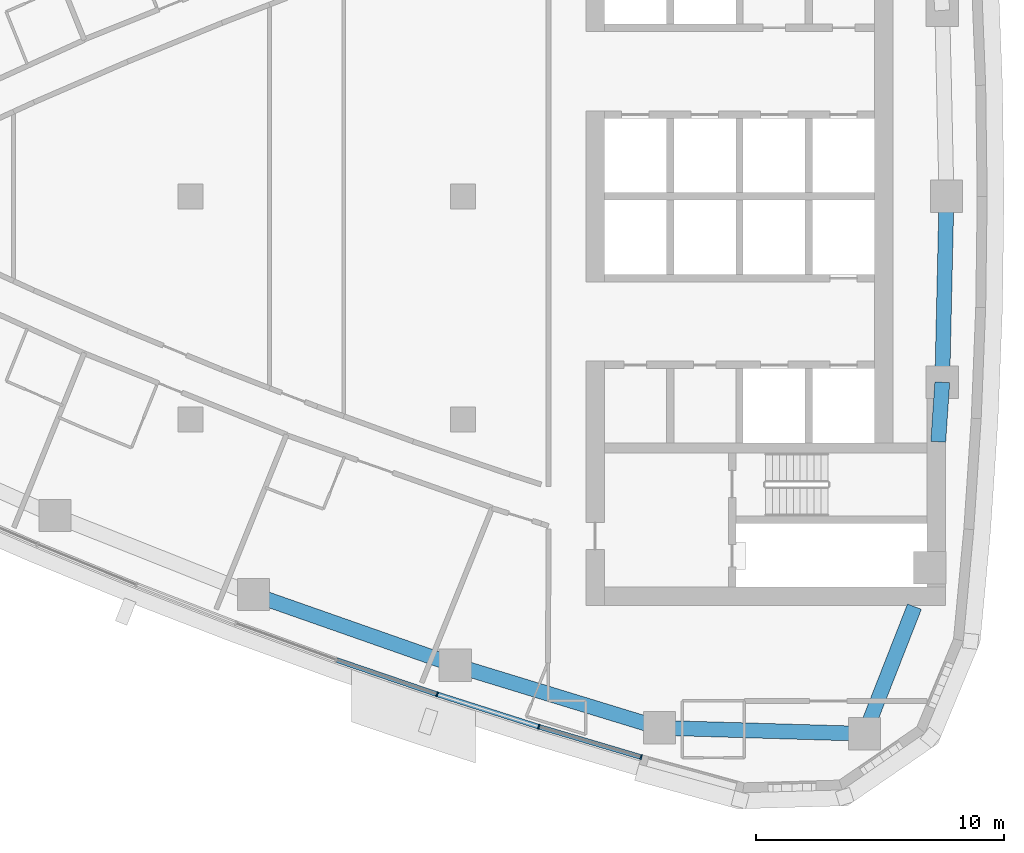
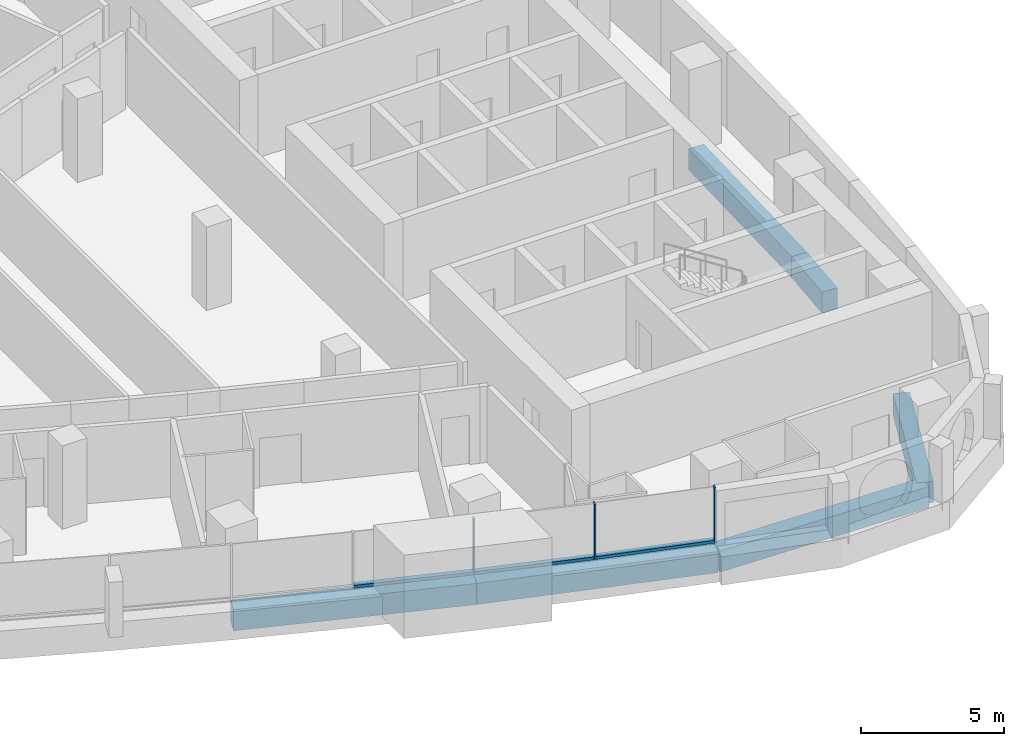
# One storey, part 4 of 17: 6 beams, 6 members, 2 elements without a shape of their own.
"""IFC4 building model written with IfcOpenShell, lengths in metres."""

from ifc_helpers import new_model, si_unit, direction, frame, origin, origin_2d, place, context, subcontext, project, spatial, rectangle, extrude, material, layer, layer_set, material_profile, profile_set, type_object, element, aggregate, save


model = new_model("IFC4")

# Units and contexts
model_context = context("Model", 3, precision=1e-05, world=origin(), true_north=direction((0.0, 1.0)))
body_context = subcontext(model_context, "Body", "Model", "MODEL_VIEW")
ifc_project = project(units=[si_unit("LENGTHUNIT", "METRE"), si_unit("AREAUNIT", "SQUARE_METRE"), si_unit("VOLUMEUNIT", "CUBIC_METRE"), si_unit("PLANEANGLEUNIT", "RADIAN"), si_unit("MASSUNIT", "GRAM", prefix="KILO")], contexts=[model_context])

# Site, building, storey
site_placement = place(None, origin())
site = spatial("IfcSite", under=ifc_project, at=site_placement, CompositionType="ELEMENT")
building_placement = place(site_placement, origin())
building = spatial("IfcBuilding", under=site, at=building_placement, Name="Ostrand Prow Hotel Tower", CompositionType="ELEMENT")
storey_placement = place(building_placement, frame((0.0, 0.0, 193.25)))
storey = spatial("IfcBuildingStorey", under=building, at=storey_placement, Name="L48", CompositionType="ELEMENT", Elevation=193.25)

# Beams
ifc_material_1 = material(Name="Concrete C60/75", Category="concrete")
ifc_material_profile_1 = material_profile(ifc_material_1, rectangle(XDim=0.60009765625, YDim=0.89990234375, at=origin_2d()), Name="RC 600x900")
ifc_profile_set_1 = profile_set([ifc_material_profile_1], Name="Concrete C60/75")
beam_type = type_object("IfcBeamType", Name="Edge beam 600x900 C60/75", PredefinedType="SPANDREL", material=ifc_profile_set_1)
for number, where, z_axis, x_axis, name in (
    (1, (36.547119140625, -16.060791015625, -0.75), (0.943593618681, -0.33110584831, 0.0), (0.33110584831, 0.943593618681, 0.0), "Edge beam S4-S5"),
    (2, (44.6826171875, -18.91552734375, -0.75), (0.956245556413, -0.292565267659, 0.0), (0.292565267659, 0.956245556413, 0.0), "Edge beam S5-S6"),
):
    element("IfcBeam", number, at=place(storey_placement, frame(where, z_axis=z_axis, x_axis=x_axis)), inside=storey, type_object=beam_type, Name=name, PredefinedType="SPANDREL", context=body_context, shape_type="SweptSolid", body=[
        extrude(rectangle(XDim=0.60009765625, YDim=0.89990234375, at=origin_2d()), origin(), (0.0, 0.0, 1.0), 8.621826171875),
    ])
beam_1_placement = place(storey_placement, frame((52.92724609375, -21.43798828125, -0.75), z_axis=(0.999575901438, -0.029120735993, 0.0), x_axis=(0.029120735993, 0.999575901438, 0.0)))
element("IfcBeam", 3, at=beam_1_placement, inside=storey, type_object=beam_type, Name="Edge beam S6-SE", PredefinedType="SPANDREL", context=body_context, shape_type="SweptSolid", body=[
    extrude(rectangle(XDim=0.60009765625, YDim=0.89990234375, at=origin_2d()), origin(), (0.0, 0.0, 1.0), 8.274658203125),
])
beam_2_placement = place(storey_placement, frame((61.198486328125, -21.678955078125, -0.75), z_axis=(0.364802049817, 0.931085100541, 0.0), x_axis=(-0.931085100541, 0.364802049817, 0.0)))
element("IfcBeam", 4, at=beam_2_placement, inside=storey, type_object=beam_type, Name="Edge beam SE-B1", PredefinedType="SPANDREL", context=body_context, shape_type="SweptSolid", body=[
    extrude(rectangle(XDim=0.60009765625, YDim=0.89990234375, at=origin_2d()), origin(), (0.0, 0.0, 1.0), 5.508544921875),
])
beam_3_placement = place(storey_placement, frame((64.167236328125, -9.89990234375, -0.75), z_axis=(0.067778284608, 0.997700408006, 0.0), x_axis=(-0.997700408006, 0.067778284608, 0.0)))
element("IfcBeam", 5, at=beam_3_placement, inside=storey, type_object=beam_type, Name="Edge beam B1-B2", PredefinedType="SPANDREL", context=body_context, shape_type="SweptSolid", body=[
    extrude(rectangle(XDim=0.60009765625, YDim=0.89990234375, at=origin_2d()), origin(), (0.0, 0.0, 1.0), 2.40625),
])
beam_4_placement = place(storey_placement, frame((64.330322265625, -7.499267578125, -0.75), z_axis=(0.022620118241, 0.999744132391, 0.0), x_axis=(-0.999744132391, 0.022620118241, 0.0)))
element("IfcBeam", 6, at=beam_4_placement, inside=storey, type_object=beam_type, Name="Edge beam B2-B3", PredefinedType="SPANDREL", context=body_context, shape_type="SweptSolid", body=[
    extrude(rectangle(XDim=0.60009765625, YDim=0.89990234375, at=origin_2d()), origin(), (0.0, 0.0, 1.0), 7.501220703125),
])

# Curtain wall, member
ifc_material_2 = material(Name="Insulated glass in bronze anodised frame", Category="glass")
ifc_layer = layer(ifc_material_2, 0.199951171875)
ifc_layer_set = layer_set([ifc_layer], Name="Insulated glass in bronze anodised frame")
curtain_wall_type = type_object("IfcCurtainWallType", Name="Strip curtain wall, fritted glass over bronze spandrel", PredefinedType="NOTDEFINED", material=ifc_layer_set)
curtain_wall_1_placement = place(storey_placement, origin())
curtain_wall_1 = element("IfcCurtainWall", 7, at=curtain_wall_1_placement, inside=storey, type_object=curtain_wall_type, Name="CW1 run CWS4", PredefinedType="NOTDEFINED")
ifc_material_3 = material(Name="Bronze anodised aluminium", Category="aluminium")
ifc_material_profile_2 = material_profile(ifc_material_3, rectangle(XDim=0.199951171875, YDim=0.06005859375, at=origin_2d()), Name="Mullion 60x200 bronze anodised aluminium")
ifc_profile_set_2 = profile_set([ifc_material_profile_2], Name="Bronze anodised aluminium")
member_type_1 = type_object("IfcMemberType", Name="Mullion 60x200 bronze anodised aluminium", PredefinedType="MULLION", material=ifc_profile_set_2)
member_1_placement = place(storey_placement, frame((43.95361328125, -20.086669921875, 0.89990234375), z_axis=(0.0, 0.0, 1.0), x_axis=(0.322908332404, 0.946430245113, 0.0)))
member_1 = element("IfcMember", 8, at=member_1_placement, type_object=member_type_1, Name="CW1 mullion 3", PredefinedType="MULLION", context=body_context, shape_type="SweptSolid", body=[
    extrude(rectangle(XDim=0.199951171875, YDim=0.06005859375, at=origin_2d()), origin(), (0.0, 0.0, 1.0), 2.35009765625),
])

# Curtain wall, members
curtain_wall_2_placement = place(storey_placement, origin())
curtain_wall_2 = element("IfcCurtainWall", 9, at=curtain_wall_2_placement, inside=storey, type_object=curtain_wall_type, Name="CW1 run CWS5", PredefinedType="NOTDEFINED")
member_2_placement = place(storey_placement, frame((48.055419921875, -21.39453125, 0.89990234375), z_axis=(0.0, 0.0, 1.0), x_axis=(0.284544113619, 0.958662947758, 0.0)))
member_2 = element("IfcMember", 10, at=member_2_placement, type_object=member_type_1, Name="CW1 mullion 2", PredefinedType="MULLION", context=body_context, shape_type="SweptSolid", body=[
    extrude(rectangle(XDim=0.199951171875, YDim=0.06005859375, at=origin_2d()), origin(), (0.0, 0.0, 1.0), 2.35009765625),
])
member_3_placement = place(storey_placement, frame((52.182373046875, -22.619384765625, 0.89990234375), z_axis=(0.0, 0.0, 1.0), x_axis=(0.284544113619, 0.958662947758, 0.0)))
member_3 = element("IfcMember", 11, at=member_3_placement, type_object=member_type_1, Name="CW1 mullion 3", PredefinedType="MULLION", context=body_context, shape_type="SweptSolid", body=[
    extrude(rectangle(XDim=0.199951171875, YDim=0.06005859375, at=origin_2d()), origin(), (0.0, 0.0, 1.0), 2.35009765625),
])

# Member
ifc_material_4 = material(Name="Bronze anodised aluminium", Category="aluminium")
ifc_material_profile_3 = material_profile(ifc_material_4, rectangle(XDim=0.199951171875, YDim=0.1201171875, at=origin_2d()), Name="Transom 120x200 bronze anodised aluminium")
ifc_profile_set_3 = profile_set([ifc_material_profile_3], Name="Bronze anodised aluminium")
member_type_2 = type_object("IfcMemberType", Name="Transom 120x200 bronze anodised aluminium", PredefinedType="USERDEFINED", material=ifc_profile_set_3)
member_4_placement = place(storey_placement, frame((39.90771484375, -18.706298828125, 0.9599609375), z_axis=(0.946422327772, -0.322931536852, 0.0), x_axis=(0.322931536852, 0.946422327772, 0.0)))
member_4 = element("IfcMember", 12, at=member_4_placement, type_object=member_type_2, Name="CW1 transom 2.1", ObjectType="TRANSOM", PredefinedType="USERDEFINED", context=body_context, shape_type="SweptSolid", body=[
    extrude(rectangle(XDim=0.199951171875, YDim=0.1201171875, at=origin_2d()), origin(), (0.0, 0.0, 1.0), 4.2451171875),
])

aggregate(curtain_wall_1, [member_1, member_4])

member_5_placement = place(storey_placement, frame((43.982421875, -20.095947265625, 0.9599609375), z_axis=(0.952737512605, -0.303794720289, 0.0), x_axis=(0.303794720289, 0.952737512605, 0.0)))
member_5 = element("IfcMember", 13, at=member_5_placement, type_object=member_type_2, Name="CW1 transom 1.1", ObjectType="TRANSOM", PredefinedType="USERDEFINED", context=body_context, shape_type="SweptSolid", body=[
    extrude(rectangle(XDim=0.199951171875, YDim=0.1201171875, at=origin_2d()), origin(), (0.0, 0.0, 1.0), 4.244873046875),
])

member_6_placement = place(storey_placement, frame((48.083984375, -21.403076171875, 0.9599609375), z_axis=(0.958661084062, -0.284550392558, 0.0), x_axis=(0.284550392558, 0.958661084062, 0.0)))
member_6 = element("IfcMember", 14, at=member_6_placement, type_object=member_type_2, Name="CW1 transom 2.1", ObjectType="TRANSOM", PredefinedType="USERDEFINED", context=body_context, shape_type="SweptSolid", body=[
    extrude(rectangle(XDim=0.199951171875, YDim=0.1201171875, at=origin_2d()), origin(), (0.0, 0.0, 1.0), 4.245361328125),
])

aggregate(curtain_wall_2, [member_2, member_3, member_5, member_6])

save(model, "model.ifc")
